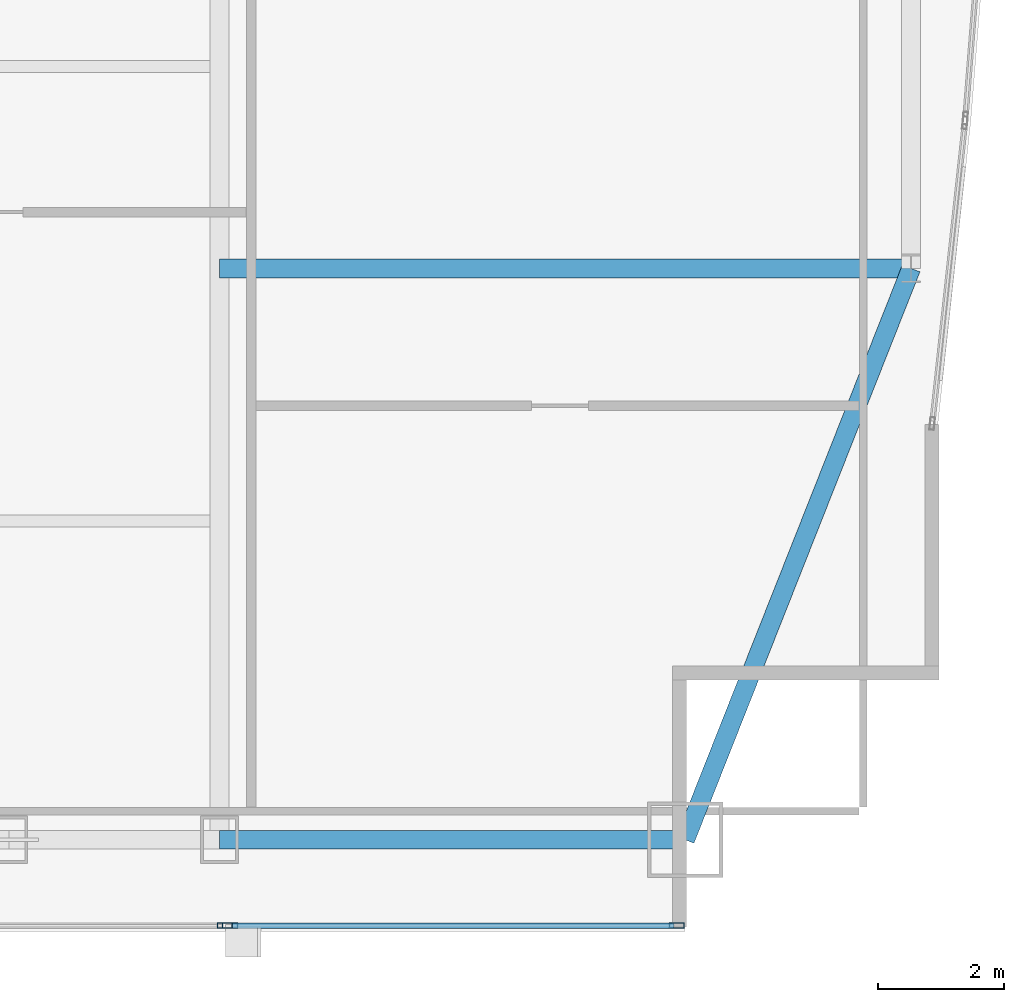
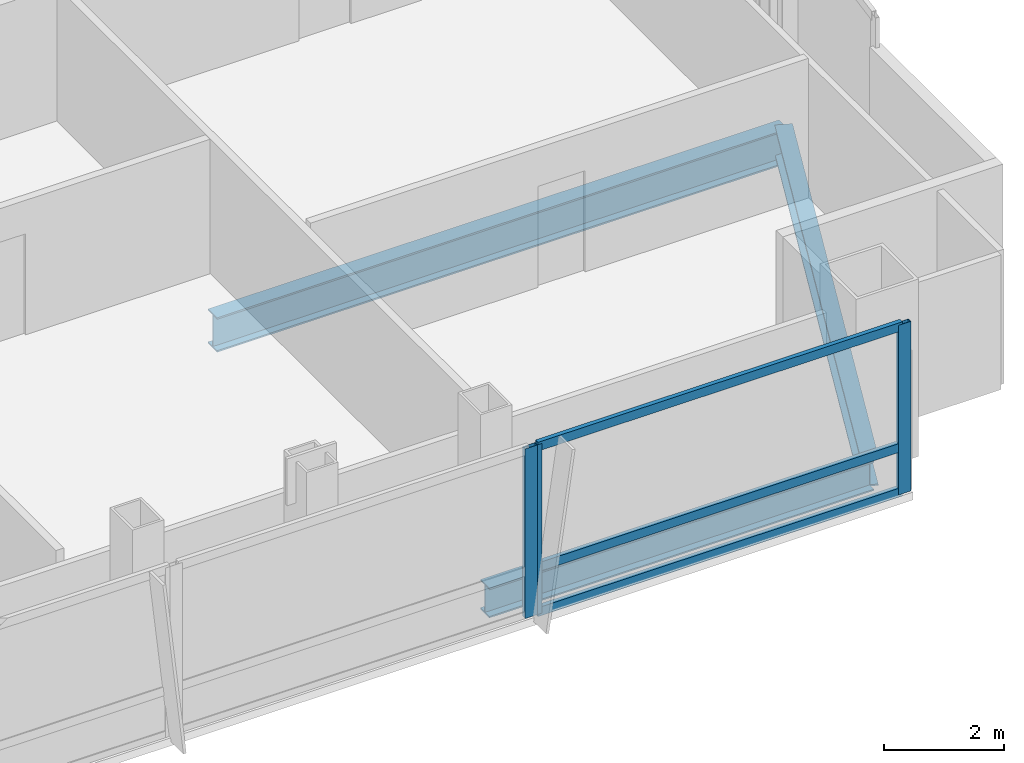
# One storey, part 16 of 32: 6 members, 3 beams, 2 elements without a shape of their own.
"""IFC4 building model written with IfcOpenShell, lengths in metres."""

from ifc_helpers import new_model, si_unit, direction, frame, origin, origin_2d, place, context, subcontext, project, spatial, hollow_rectangle, i_section, extrude, material, material_profile, profile_set, type_object, element, aggregate, save


model = new_model("IFC4")

# Units and contexts
model_context = context("Model", 3, precision=1e-05, world=origin(), true_north=direction((0.0, 1.0)))
body_context = subcontext(model_context, "Body", "Model", "MODEL_VIEW")
ifc_project = project(units=[si_unit("LENGTHUNIT", "METRE"), si_unit("AREAUNIT", "SQUARE_METRE"), si_unit("VOLUMEUNIT", "CUBIC_METRE"), si_unit("PLANEANGLEUNIT", "RADIAN"), si_unit("MASSUNIT", "GRAM", prefix="KILO")], contexts=[model_context])

# Site, building, storey
site_placement = place(None, origin())
site = spatial("IfcSite", under=ifc_project, at=site_placement, CompositionType="ELEMENT")
building_placement = place(site_placement, origin())
building = spatial("IfcBuilding", under=site, at=building_placement, Name="Khoronbel Lancet Exchange", CompositionType="ELEMENT")
storey_placement = place(building_placement, frame((0.0, 0.0, 195.800048828125)))
storey = spatial("IfcBuildingStorey", under=building, at=storey_placement, Name="L49", CompositionType="ELEMENT", Elevation=195.800048828125)

# Beams
ifc_material_1 = material(Name="Steel S355", Category="steel")
ifc_material_profile_1 = material_profile(ifc_material_1, i_section(OverallWidth=0.300048828125, OverallDepth=0.699951171875, WebThickness=0.01708984375, FlangeThickness=0.031982421875, at=origin_2d()), Name="HEB 700")
ifc_profile_set_1 = profile_set([ifc_material_profile_1], Name="Steel S355")
beam_type_1 = type_object("IfcBeamType", Name="BM-BG3", PredefinedType="BEAM", material=ifc_profile_set_1)
beam_1_placement = place(storey_placement, frame((54.675048828125, 19.199951171875, -0.510009765625), z_axis=(1.0, 0.0, 0.0), x_axis=(0.0, 1.0, 0.0)))
element("IfcBeam", 1, at=beam_1_placement, inside=storey, type_object=beam_type_1, Name="Level L49 east lens tie girder LG1E", PredefinedType="BEAM", context=body_context, shape_type="SweptSolid", body=[
    extrude(i_section(OverallWidth=0.300048828125, OverallDepth=0.699951171875, WebThickness=0.01708984375, FlangeThickness=0.031982421875, at=origin_2d()), origin(), (0.0, 0.0, 1.0), 10.954833984375),
])
ifc_material_profile_2 = material_profile(ifc_material_1, i_section(OverallWidth=0.300048828125, OverallDepth=0.60009765625, WebThickness=0.015380859375, FlangeThickness=0.030029296875, at=origin_2d()), Name="HEB 600")
ifc_profile_set_2 = profile_set([ifc_material_profile_2], Name="Steel S355")
beam_type_2 = type_object("IfcBeamType", Name="BM-BSP2", PredefinedType="SPANDREL", material=ifc_profile_set_2)
beam_2_placement = place(storey_placement, frame((54.675048828125, 10.14990234375, -0.4599609375), z_axis=(1.0, 0.0, 0.0), x_axis=(0.0, 1.0, 0.0)))
element("IfcBeam", 2, at=beam_2_placement, inside=storey, type_object=beam_type_2, Name="Level L49 perimeter spandrel beam SP09", PredefinedType="SPANDREL", context=body_context, shape_type="SweptSolid", body=[
    extrude(i_section(OverallWidth=0.300048828125, OverallDepth=0.60009765625, WebThickness=0.015380859375, FlangeThickness=0.030029296875, at=origin_2d()), origin(), (0.0, 0.0, 1.0), 7.375),
])
beam_3_placement = place(storey_placement, frame((62.050048828125, 10.14990234375, -0.4599609375), z_axis=(0.367828403855, 0.929893684954, 0.0), x_axis=(-0.929893684954, 0.367828403855, 0.0)))
element("IfcBeam", 3, at=beam_3_placement, inside=storey, type_object=beam_type_2, Name="Level L49 perimeter spandrel beam SP10", PredefinedType="SPANDREL", context=body_context, shape_type="SweptSolid", body=[
    extrude(i_section(OverallWidth=0.300048828125, OverallDepth=0.60009765625, WebThickness=0.015380859375, FlangeThickness=0.030029296875, at=origin_2d()), origin(), (0.0, 0.0, 1.0), 9.732421875),
])

# Curtain wall, member
ifc_material_2 = material(Name="Low-E Solar Control Insulating Glass", Category="glass")
curtain_wall_type = type_object("IfcCurtainWallType", Name="CW-3", PredefinedType="NOTDEFINED", material=ifc_material_2)
curtain_wall_1_placement = place(storey_placement, origin())
curtain_wall_1 = element("IfcCurtainWall", 4, at=curtain_wall_1_placement, inside=storey, type_object=curtain_wall_type, Name="Unitised curtain wall CW-L49-SEB", PredefinedType="NOTDEFINED")
ifc_material_3 = material(Name="Bronze-Anodised Aluminium 6063-T6", Category="aluminium")
ifc_material_profile_3 = material_profile(ifc_material_3, hollow_rectangle(XDim=0.0849609375, YDim=0.239990234375, WallThickness=0.006103515625, at=origin_2d()), Name="ALU MULLION 85x240")
ifc_profile_set_3 = profile_set([ifc_material_profile_3], Name="Bronze-Anodised Aluminium 6063-T6")
member_type_1 = type_object("IfcMemberType", Name="MEM-CWM1", PredefinedType="MULLION", material=ifc_profile_set_3)
member_1_placement = place(storey_placement, frame((54.757568359375, 8.7900390625, 0.0), z_axis=(0.0, 0.0, 1.0), x_axis=(0.0, 1.0, 0.0)))
member_1 = element("IfcMember", 5, at=member_1_placement, type_object=member_type_1, Name="CW3 mullion 2", PredefinedType="MULLION", context=body_context, shape_type="SweptSolid", body=[
    extrude(hollow_rectangle(XDim=0.0849609375, YDim=0.239990234375, WallThickness=0.006103515625, at=origin_2d()), origin(), (0.0, 0.0, 1.0), 3.43994140625),
])
aggregate(curtain_wall_1, [member_1])

# Curtain wall, members
curtain_wall_2_placement = place(storey_placement, origin())
curtain_wall_2 = element("IfcCurtainWall", 6, at=curtain_wall_2_placement, inside=storey, type_object=curtain_wall_type, Name="Unitised curtain wall CW-L49-SEV", PredefinedType="NOTDEFINED")
member_2_placement = place(storey_placement, frame((54.842529296875, 8.7900390625, 0.0), z_axis=(0.0, 0.0, 1.0), x_axis=(0.0, 1.0, 0.0)))
member_2 = element("IfcMember", 7, at=member_2_placement, type_object=member_type_1, Name="CW3 mullion 1", PredefinedType="MULLION", context=body_context, shape_type="SweptSolid", body=[
    extrude(hollow_rectangle(XDim=0.0849609375, YDim=0.239990234375, WallThickness=0.006103515625, at=origin_2d()), origin(), (0.0, 0.0, 1.0), 3.43994140625),
])
member_3_placement = place(storey_placement, frame((61.91748046875, 8.7900390625, 0.0), z_axis=(0.0, 0.0, 1.0), x_axis=(0.0, 1.0, 0.0)))
member_3 = element("IfcMember", 8, at=member_3_placement, type_object=member_type_1, Name="CW3 mullion 2", PredefinedType="MULLION", context=body_context, shape_type="SweptSolid", body=[
    extrude(hollow_rectangle(XDim=0.0849609375, YDim=0.239990234375, WallThickness=0.006103515625, at=origin_2d()), origin(), (0.0, 0.0, 1.0), 3.43994140625),
])
ifc_material_profile_4 = material_profile(ifc_material_3, hollow_rectangle(XDim=0.0849609375, YDim=0.179931640625, WallThickness=0.0048828125, at=origin_2d()), Name="ALU TRANSOM 85x180")
ifc_profile_set_4 = profile_set([ifc_material_profile_4], Name="Bronze-Anodised Aluminium 6063-T6")
member_type_2 = type_object("IfcMemberType", Name="MEM-CWT1", PredefinedType="USERDEFINED", material=ifc_profile_set_4)
member_4_placement = place(storey_placement, frame((54.885009765625, 8.7900390625, 0.04248046875), z_axis=(1.0, 0.0, 0.0), x_axis=(0.0, 1.0, 0.0)))
member_4 = element("IfcMember", 9, at=member_4_placement, type_object=member_type_2, Name="CW3 transom 1.1", ObjectType="TRANSOM", PredefinedType="USERDEFINED", context=body_context, shape_type="SweptSolid", body=[
    extrude(hollow_rectangle(XDim=0.0849609375, YDim=0.179931640625, WallThickness=0.0048828125, at=origin_2d()), origin(), (0.0, 0.0, 1.0), 6.989990234375),
])
member_5_placement = place(storey_placement, frame((54.885009765625, 8.7900390625, 0.949951171875), z_axis=(1.0, 0.0, 0.0), x_axis=(0.0, 1.0, 0.0)))
member_5 = element("IfcMember", 10, at=member_5_placement, type_object=member_type_2, Name="CW3 transom 1.2", ObjectType="TRANSOM", PredefinedType="USERDEFINED", context=body_context, shape_type="SweptSolid", body=[
    extrude(hollow_rectangle(XDim=0.0849609375, YDim=0.179931640625, WallThickness=0.0048828125, at=origin_2d()), origin(), (0.0, 0.0, 1.0), 6.989990234375),
])
member_6_placement = place(storey_placement, frame((54.885009765625, 8.7900390625, 3.3974609375), z_axis=(1.0, 0.0, 0.0), x_axis=(0.0, 1.0, 0.0)))
member_6 = element("IfcMember", 11, at=member_6_placement, type_object=member_type_2, Name="CW3 transom 1.3", ObjectType="TRANSOM", PredefinedType="USERDEFINED", context=body_context, shape_type="SweptSolid", body=[
    extrude(hollow_rectangle(XDim=0.0849609375, YDim=0.179931640625, WallThickness=0.0048828125, at=origin_2d()), origin(), (0.0, 0.0, 1.0), 6.989990234375),
])
aggregate(curtain_wall_2, [member_2, member_3, member_4, member_5, member_6])

save(model, "model.ifc")
